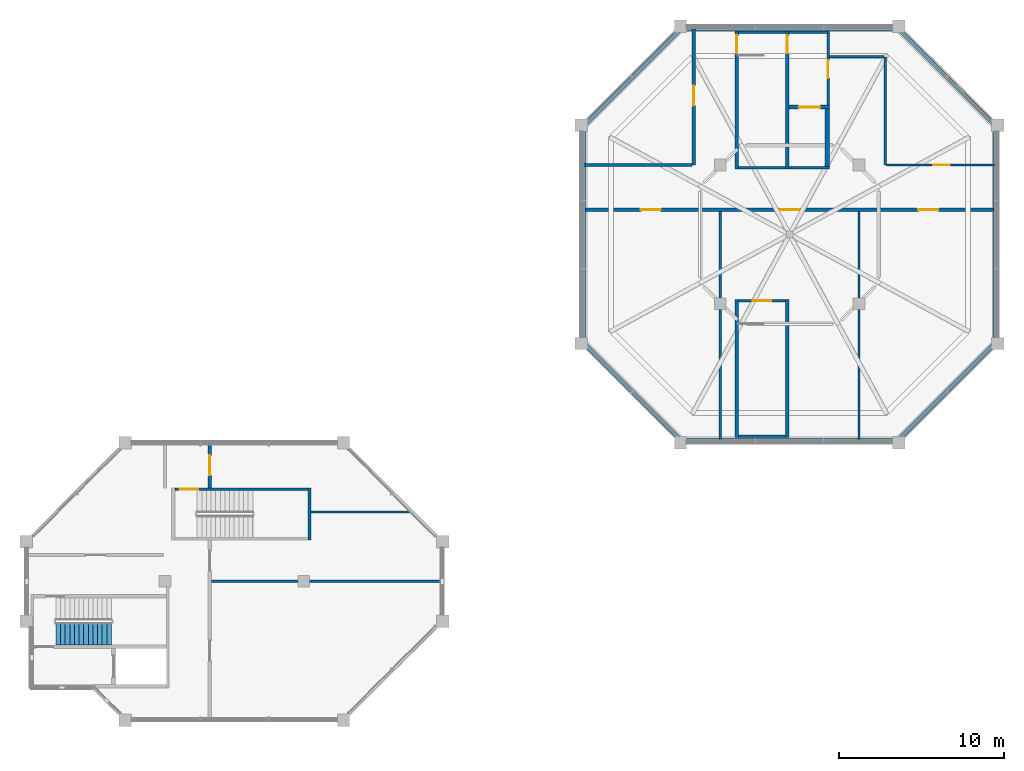
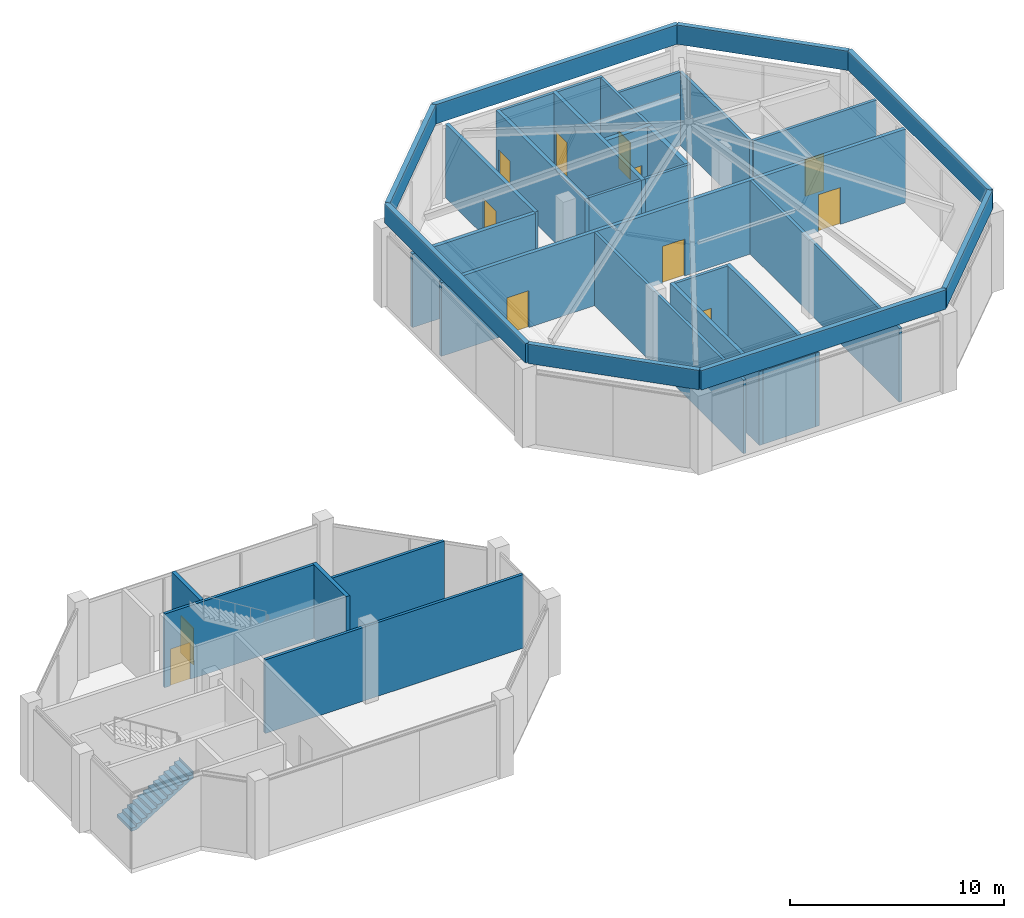
# One storey, part 6 of 9: 34 walls, 12 doors, 1 stair flight, 12 openings, 1 element without a shape of its own.
"""IFC4 building model written with IfcOpenShell, lengths in metres."""

from ifc_helpers import new_model, si_unit, direction, frame, frame_2d, origin, place, context, subcontext, project, spatial, polyline, rectangle, outline, extrude, material, layer, layer_set, type_object, element, fill, aggregate, save


model = new_model("IFC4")

# Units and contexts
model_context = context("Model", 3, precision=1e-05, world=origin(), true_north=direction((0.0, 1.0)))
body_context = subcontext(model_context, "Body", "Model", "MODEL_VIEW")
ifc_project = project(units=[si_unit("LENGTHUNIT", "METRE"), si_unit("AREAUNIT", "SQUARE_METRE"), si_unit("VOLUMEUNIT", "CUBIC_METRE"), si_unit("PLANEANGLEUNIT", "RADIAN"), si_unit("MASSUNIT", "GRAM", prefix="KILO")], contexts=[model_context])

# Site, building, storey
site_placement = place(None, origin())
site = spatial("IfcSite", under=ifc_project, at=site_placement, CompositionType="ELEMENT")
building_placement = place(site_placement, origin())
building = spatial("IfcBuilding", under=site, at=building_placement, Name="Kawkab Arch Medical Tower", CompositionType="ELEMENT")
storey_placement = place(building_placement, frame((0.0, 0.0, 350.199951171875)))
storey = spatial("IfcBuildingStorey", under=building, at=storey_placement, Name="L81", CompositionType="ELEMENT", Elevation=350.199951171875)

# Wall, opening, door
ifc_material_1 = material(Name="Gypsum board on steel studs", Category="steel")
ifc_layer_1 = layer(ifc_material_1, 0.14990234375)
ifc_layer_set_1 = layer_set([ifc_layer_1], Name="Gypsum board on steel studs")
wall_type_1 = type_object("IfcWallType", Name="Core room partition 150", PredefinedType="PARTITIONING", material=ifc_layer_set_1)
wall_1_placement = place(storey_placement, frame((48.52490234375, -4.77490234375, 0.0), z_axis=(0.0, 0.0, 1.0), x_axis=(0.0, 1.0, 0.0)))
wall_1 = element("IfcWall", 1, at=wall_1_placement, inside=storey, type_object=wall_type_1, Name="L81 core room partition", PredefinedType="PARTITIONING", context=body_context, shape_type="SweptSolid", body=[
    extrude(rectangle(XDim=4.324951171875, YDim=0.14990234375, at=frame_2d((2.16259765625, 0.0))), origin(), (0.0, 0.0, 1.0), 4.199951171875),
])
opening_1_placement = place(wall_1_placement, frame((1.625, 0.0, 0.0)))
opening_1 = element("IfcOpeningElement", 2, at=opening_1_placement, cuts=wall_1, Name="Opening FD", PredefinedType="OPENING", context=body_context, shape_type="SweptSolid", body=[
    extrude(rectangle(XDim=1.10009765625, YDim=2.10009765625, at=frame_2d((0.550048828125, 1.050048828125))), frame((0.0, 0.0849609375, 0.0), z_axis=(0.0, -1.0, 0.0), x_axis=(1.0, 0.0, 0.0)), (0.0, 0.0, 1.0), 0.169921875),
])
ifc_material_2 = material(Name="Hollow metal fire door leaf")
door_type_1 = type_object("IfcDoorType", Name="Firefighting lobby door 1100", OperationType="SINGLE_SWING_LEFT", PredefinedType="DOOR", material=ifc_material_2)
door_1_placement = place(opening_1_placement, origin())
door_1 = element("IfcDoor", 3, at=door_1_placement, inside=storey, type_object=door_type_1, Name="L81 Service lift lobby door SV1", OperationType="SINGLE_SWING_LEFT", OverallHeight=2.10009765625, OverallWidth=1.10009765625, PredefinedType="DOOR", context=body_context, shape_type="SweptSolid", body=[
    extrude(rectangle(XDim=1.10009765625, YDim=2.10009765625, at=frame_2d((0.550048828125, 1.050048828125))), frame((0.0, 0.02490234375, 0.0), z_axis=(0.0, -1.0, 0.0), x_axis=(1.0, 0.0, 0.0)), (0.0, 0.0, 1.0), 0.050048828125),
])
fill(opening_1, door_1)

ifc_material_3 = material(Name="Concrete C60/75", Category="concrete")
ifc_layer_2 = layer(ifc_material_3, 0.25)
ifc_layer_set_2 = layer_set([ifc_layer_2], Name="Concrete C60/75")
wall_type_2 = type_object("IfcWallType", Name="Core shear wall 250 C60/75", PredefinedType="SHEAR", material=ifc_layer_set_2)
wall_2_placement = place(storey_placement, frame((46.14990234375, -4.89990234375, 0.0), z_axis=(0.0, 0.0, 1.0), x_axis=(1.0, 0.0, 0.0)))
wall_2 = element("IfcWall", 4, at=wall_2_placement, inside=storey, type_object=wall_type_2, Name="L81 core shear wall", PredefinedType="SHEAR", context=body_context, shape_type="SweptSolid", body=[
    extrude(rectangle(XDim=2.4501953125, YDim=0.25, at=frame_2d((1.22509765625, 0.0))), origin(), (0.0, 0.0, 1.0), 4.199951171875),
])
opening_2_placement = place(wall_2_placement, frame((0.60009765625, 0.0, 0.0)))
opening_2 = element("IfcOpeningElement", 5, at=opening_2_placement, cuts=wall_2, Name="Opening LD2", PredefinedType="OPENING", context=body_context, shape_type="SweptSolid", body=[
    extrude(rectangle(XDim=1.300048828125, YDim=2.10009765625, at=frame_2d((0.64990234375, 1.050048828125))), frame((0.0, 0.135009765625, 0.0), z_axis=(0.0, -1.0, 0.0), x_axis=(1.0, 0.0, 0.0)), (0.0, 0.0, 1.0), 0.27001953125),
])
ifc_material_4 = material(Name="Stainless steel lift door leaf", Category="steel")
door_type_2 = type_object("IfcDoorType", Name="Lift landing door 1300", OperationType="DOUBLE_DOOR_SLIDING", PredefinedType="DOOR", material=ifc_material_4)
door_2_placement = place(opening_2_placement, origin())
door_2 = element("IfcDoor", 6, at=door_2_placement, inside=storey, type_object=door_type_2, Name="L81 Lift landing door SV1", OperationType="DOUBLE_DOOR_SLIDING", OverallHeight=2.10009765625, OverallWidth=1.300048828125, PredefinedType="DOOR", context=body_context, shape_type="SweptSolid", body=[
    extrude(rectangle(XDim=1.300048828125, YDim=2.10009765625, at=frame_2d((0.64990234375, 1.050048828125))), frame((0.0, 0.02490234375, 0.0), z_axis=(0.0, -1.0, 0.0), x_axis=(1.0, 0.0, 0.0)), (0.0, 0.0, 1.0), 0.050048828125),
])
fill(opening_2, door_2)

# Walls
wall_3_placement = place(storey_placement, frame((48.47509765625, -8.5, 0.0), z_axis=(0.0, 0.0, 1.0), x_axis=(0.0, 1.0, 0.0)))
element("IfcWall", 7, at=wall_3_placement, inside=storey, type_object=wall_type_2, Name="L81 core shear wall", PredefinedType="SHEAR", context=body_context, shape_type="SweptSolid", body=[
    extrude(rectangle(XDim=3.47509765625, YDim=0.25, at=frame_2d((1.737548828125, 0.0))), origin(), (0.0, 0.0, 1.0), 4.199951171875),
])
ifc_material_5 = material(Name="Bronze clad insulated wall panel")
ifc_layer_3 = layer(ifc_material_5, 0.25)
ifc_layer_set_3 = layer_set([ifc_layer_3], Name="Bronze clad insulated wall panel")
wall_type_3 = type_object("IfcWallType", Name="Crown parapet 250", PredefinedType="SOLIDWALL", material=ifc_layer_set_3)
wall_4_placement = place(storey_placement, frame((39.60009765625, -25.074951171875, 4.5), z_axis=(0.0, 0.0, 1.0), x_axis=(1.0, 0.0, 0.0)))
element("IfcWall", 8, at=wall_4_placement, inside=storey, type_object=wall_type_3, Name="Parapet, crown peak A 1", PredefinedType="SOLIDWALL", context=body_context, shape_type="SweptSolid", body=[
    extrude(rectangle(XDim=13.199951171875, YDim=0.25, at=frame_2d((6.60009765625, 0.0))), origin(), (0.0, 0.0, 1.0), 1.10009765625),
])
wall_5_placement = place(storey_placement, frame((52.784912109375, -25.038330078125, 4.5), z_axis=(0.0, 0.0, 1.0), x_axis=(0.707106781187, 0.707106781187, 0.0)))
element("IfcWall", 9, at=wall_5_placement, inside=storey, type_object=wall_type_3, Name="Parapet, crown peak A 2", PredefinedType="SOLIDWALL", context=body_context, shape_type="SweptSolid", body=[
    extrude(rectangle(XDim=8.278076171875, YDim=0.25, at=frame_2d((4.13916015625, 0.0))), origin(), (0.0, 0.0, 1.0), 1.10009765625),
])
wall_6_placement = place(storey_placement, frame((58.675048828125, -19.199951171875, 4.5), z_axis=(0.0, 0.0, 1.0), x_axis=(0.0, 1.0, 0.0)))
element("IfcWall", 10, at=wall_6_placement, inside=storey, type_object=wall_type_3, Name="Parapet, crown peak A 3", PredefinedType="SOLIDWALL", context=body_context, shape_type="SweptSolid", body=[
    extrude(rectangle(XDim=13.199951171875, YDim=0.25, at=frame_2d((6.60009765625, 0.0))), origin(), (0.0, 0.0, 1.0), 1.10009765625),
])
wall_7_placement = place(storey_placement, frame((58.638427734375, -6.01513671875, 4.5), z_axis=(0.0, 0.0, 1.0), x_axis=(-0.707106781187, 0.707106781187, 0.0)))
element("IfcWall", 11, at=wall_7_placement, inside=storey, type_object=wall_type_3, Name="Parapet, crown peak A 4", PredefinedType="SOLIDWALL", context=body_context, shape_type="SweptSolid", body=[
    extrude(rectangle(XDim=8.278076171875, YDim=0.25, at=frame_2d((4.13916015625, 0.0))), origin(), (0.0, 0.0, 1.0), 1.10009765625),
])
wall_8_placement = place(storey_placement, frame((52.800048828125, -0.125, 4.5), z_axis=(0.0, 0.0, 1.0), x_axis=(-1.0, 0.0, 0.0)))
element("IfcWall", 12, at=wall_8_placement, inside=storey, type_object=wall_type_3, Name="Parapet, crown peak A 5", PredefinedType="SOLIDWALL", context=body_context, shape_type="SweptSolid", body=[
    extrude(rectangle(XDim=13.199951171875, YDim=0.25, at=frame_2d((6.60009765625, 0.0))), origin(), (0.0, 0.0, 1.0), 1.10009765625),
])
wall_9_placement = place(storey_placement, frame((39.615234375, -0.16162109375, 4.5), z_axis=(0.0, 0.0, 1.0), x_axis=(-0.707106781187, -0.707106781187, 0.0)))
element("IfcWall", 13, at=wall_9_placement, inside=storey, type_object=wall_type_3, Name="Parapet, crown peak A 6", PredefinedType="SOLIDWALL", context=body_context, shape_type="SweptSolid", body=[
    extrude(rectangle(XDim=8.278076171875, YDim=0.25, at=frame_2d((4.13916015625, 0.0))), origin(), (0.0, 0.0, 1.0), 1.10009765625),
])
wall_10_placement = place(storey_placement, frame((33.72509765625, -6.0, 4.5), z_axis=(0.0, 0.0, 1.0), x_axis=(0.0, -1.0, 0.0)))
element("IfcWall", 14, at=wall_10_placement, inside=storey, type_object=wall_type_3, Name="Parapet, crown peak A 7", PredefinedType="SOLIDWALL", context=body_context, shape_type="SweptSolid", body=[
    extrude(rectangle(XDim=13.199951171875, YDim=0.25, at=frame_2d((6.60009765625, 0.0))), origin(), (0.0, 0.0, 1.0), 1.10009765625),
])
wall_11_placement = place(storey_placement, frame((33.76171875, -19.184814453125, 4.5), z_axis=(0.0, 0.0, 1.0), x_axis=(0.707106781187, -0.707106781187, 0.0)))
element("IfcWall", 15, at=wall_11_placement, inside=storey, type_object=wall_type_3, Name="Parapet, crown peak A 8", PredefinedType="SOLIDWALL", context=body_context, shape_type="SweptSolid", body=[
    extrude(rectangle(XDim=8.278076171875, YDim=0.25, at=frame_2d((4.13916015625, 0.0))), origin(), (0.0, 0.0, 1.0), 1.10009765625),
])
ifc_material_6 = material(Name="Gypsum board partition on steel studs, mineral wool", Category="steel")
ifc_layer_4 = layer(ifc_material_6, 0.14990234375)
ifc_layer_set_4 = layer_set([ifc_layer_4], Name="Gypsum board partition on steel studs, mineral wool")
wall_type_4 = type_object("IfcWallType", Name="Partition 150", PredefinedType="PARTITIONING", material=ifc_layer_set_4)
wall_12_placement = place(storey_placement, frame((11.199951171875, -33.60009765625, 0.0), z_axis=(0.0, 0.0, 1.0), x_axis=(1.0, 0.0, 0.0)))
element("IfcWall", 16, at=wall_12_placement, inside=storey, type_object=wall_type_4, Name="Partition 150 w001", PredefinedType="PARTITIONING", context=body_context, shape_type="SweptSolid", body=[
    extrude(rectangle(XDim=13.920166015625, YDim=0.14990234375, at=frame_2d((6.9599609375, 0.0))), origin(), (0.0, 0.0, 1.0), 4.199951171875),
])
wall_13_placement = place(storey_placement, frame((17.25, -29.39990234375, 0.0), z_axis=(0.0, 0.0, 1.0), x_axis=(1.0, 0.0, 0.0)))
element("IfcWall", 17, at=wall_13_placement, inside=storey, type_object=wall_type_4, Name="Partition 150 w002", PredefinedType="PARTITIONING", context=body_context, shape_type="SweptSolid", body=[
    extrude(rectangle(XDim=6.037109375, YDim=0.14990234375, at=frame_2d((3.0185546875, 0.0))), origin(), (0.0, 0.0, 1.0), 4.199951171875),
])

# Wall, opening, door
wall_14_placement = place(storey_placement, frame((52.068115234375, -8.39990234375, 0.0), z_axis=(0.0, 0.0, 1.0), x_axis=(1.0, 0.0, 0.0)))
wall_14 = element("IfcWall", 18, at=wall_14_placement, inside=storey, type_object=wall_type_4, Name="Partition 150 w003", PredefinedType="PARTITIONING", context=body_context, shape_type="SweptSolid", body=[
    extrude(rectangle(XDim=6.65185546875, YDim=0.14990234375, at=frame_2d((3.325927734375, 0.0))), origin(), (0.0, 0.0, 1.0), 4.199951171875),
])
opening_3_placement = place(wall_14_placement, frame((2.8291015625, 0.0, 0.0)))
opening_3 = element("IfcOpeningElement", 19, at=opening_3_placement, cuts=wall_14, Name="Opening C81-001", PredefinedType="OPENING", context=body_context, shape_type="SweptSolid", body=[
    extrude(rectangle(XDim=1.0, YDim=2.10009765625, at=frame_2d((0.5, 1.050048828125))), frame((0.0, 0.0849609375, 0.0), z_axis=(0.0, -1.0, 0.0), x_axis=(1.0, 0.0, 0.0)), (0.0, 0.0, 1.0), 0.169921875),
])
ifc_material_7 = material(Name="Hollow metal door leaf")
door_type_3 = type_object("IfcDoorType", Name="Single door 1000x2100 FD30S", OperationType="NOTDEFINED", PredefinedType="DOOR", material=ifc_material_7)
door_3_placement = place(opening_3_placement, origin())
door_3 = element("IfcDoor", 20, at=door_3_placement, inside=storey, type_object=door_type_3, Name="Door C81-001", OperationType="SINGLE_SWING_LEFT", OverallHeight=2.10009765625, OverallWidth=1.0, PredefinedType="DOOR", context=body_context, shape_type="SweptSolid", body=[
    extrude(rectangle(XDim=1.0, YDim=2.10009765625, at=frame_2d((0.5, 1.050048828125))), frame((0.0, 0.02490234375, 0.0), z_axis=(0.0, -1.0, 0.0), x_axis=(1.0, 0.0, 0.0)), (0.0, 0.0, 1.0), 0.050048828125),
])
fill(opening_3, door_3)

# Walls
wall_15_placement = place(storey_placement, frame((48.60009765625, -1.85009765625, 0.0), z_axis=(0.0, 0.0, 1.0), x_axis=(1.0, 0.0, 0.0)))
element("IfcWall", 21, at=wall_15_placement, inside=storey, type_object=wall_type_4, Name="Partition 150 w004", PredefinedType="PARTITIONING", context=body_context, shape_type="SweptSolid", body=[
    extrude(rectangle(XDim=3.31591796875, YDim=0.14990234375, at=frame_2d((1.657958984375, 0.0))), origin(), (0.0, 0.0, 1.0), 4.199951171875),
])
for number, where, z_axis, x_axis, name in (
    (22, (42.0, -25.1201171875, 0.0), (0.0, 0.0, 1.0), (0.0, 1.0, 0.0), "Partition 150 w005"),
    (23, (50.39990234375, -25.1201171875, 0.0), (0.0, 0.0, 1.0), (0.0, 1.0, 0.0), "Partition 150 w006"),
):
    element("IfcWall", number, at=place(storey_placement, frame(where, z_axis=z_axis, x_axis=x_axis)), inside=storey, type_object=wall_type_4, Name=name, PredefinedType="PARTITIONING", context=body_context, shape_type="SweptSolid", body=[
        extrude(rectangle(XDim=13.920166015625, YDim=0.14990234375, at=frame_2d((6.9599609375, 0.0))), origin(), (0.0, 0.0, 1.0), 4.199951171875),
    ])
wall_16_placement = place(storey_placement, frame((51.992919921875, -8.39990234375, 0.0), z_axis=(0.0, 0.0, 1.0), x_axis=(0.0, 1.0, 0.0)))
element("IfcWall", 24, at=wall_16_placement, inside=storey, type_object=wall_type_4, Name="Partition 150 w007", PredefinedType="PARTITIONING", context=body_context, shape_type="SweptSolid", body=[
    extrude(rectangle(XDim=6.5478515625, YDim=0.14990234375, at=frame_2d((3.27392578125, 0.0))), origin(), (0.0, 0.0, 1.0), 4.199951171875),
])

# Wall, openings, doors
ifc_material_8 = material(Name="Fire-rated gypsum board partition on steel studs", Category="steel")
ifc_layer_5 = layer(ifc_material_8, 0.199951171875)
ifc_layer_set_5 = layer_set([ifc_layer_5], Name="Fire-rated gypsum board partition on steel studs")
wall_type_5 = type_object("IfcWallType", Name="Protected partition 200", PredefinedType="PARTITIONING", material=ifc_layer_set_5)
wall_17_placement = place(storey_placement, frame((33.679931640625, -11.10009765625, 0.0), z_axis=(0.0, 0.0, 1.0), x_axis=(1.0, 0.0, 0.0)))
wall_17 = element("IfcWall", 25, at=wall_17_placement, inside=storey, type_object=wall_type_5, Name="Protected partition 200 w009", PredefinedType="PARTITIONING", context=body_context, shape_type="SweptSolid", body=[
    extrude(rectangle(XDim=25.0400390625, YDim=0.199951171875, at=frame_2d((12.52001953125, 0.0))), origin(), (0.0, 0.0, 1.0), 4.199951171875),
])
opening_4_placement = place(wall_17_placement, frame((3.52001953125, 0.0, 0.0)))
opening_4 = element("IfcOpeningElement", 26, at=opening_4_placement, cuts=wall_17, Name="Opening C81-002", PredefinedType="OPENING", context=body_context, shape_type="SweptSolid", body=[
    extrude(rectangle(XDim=1.199951171875, YDim=2.10009765625, at=frame_2d((0.60009765625, 1.050048828125))), frame((0.0, 0.10986328125, 0.0), z_axis=(0.0, -1.0, 0.0), x_axis=(1.0, 0.0, 0.0)), (0.0, 0.0, 1.0), 0.219970703125),
])
opening_5_placement = place(wall_17_placement, frame((11.919921875, 0.0, 0.0)))
opening_5 = element("IfcOpeningElement", 27, at=opening_5_placement, cuts=wall_17, Name="Opening C81-003", PredefinedType="OPENING", context=body_context, shape_type="SweptSolid", body=[
    extrude(rectangle(XDim=1.199951171875, YDim=2.10009765625, at=frame_2d((0.60009765625, 1.050048828125))), frame((0.0, 0.10986328125, 0.0), z_axis=(0.0, -1.0, 0.0), x_axis=(1.0, 0.0, 0.0)), (0.0, 0.0, 1.0), 0.219970703125),
])
opening_6_placement = place(wall_17_placement, frame((20.320068359375, 0.0, 0.0)))
opening_6 = element("IfcOpeningElement", 28, at=opening_6_placement, cuts=wall_17, Name="Opening C81-004", PredefinedType="OPENING", context=body_context, shape_type="SweptSolid", body=[
    extrude(rectangle(XDim=1.199951171875, YDim=2.10009765625, at=frame_2d((0.60009765625, 1.050048828125))), frame((0.0, 0.10986328125, 0.0), z_axis=(0.0, -1.0, 0.0), x_axis=(1.0, 0.0, 0.0)), (0.0, 0.0, 1.0), 0.219970703125),
])
ifc_material_9 = material(Name="Hollow metal door leaf")
door_type_4 = type_object("IfcDoorType", Name="Single door 1200x2100 FD60", OperationType="NOTDEFINED", PredefinedType="DOOR", material=ifc_material_9)
door_4_placement = place(opening_4_placement, origin())
door_4 = element("IfcDoor", 29, at=door_4_placement, inside=storey, type_object=door_type_4, Name="Door C81-002", OperationType="SINGLE_SWING_RIGHT", OverallHeight=2.10009765625, OverallWidth=1.199951171875, PredefinedType="DOOR", context=body_context, shape_type="SweptSolid", body=[
    extrude(rectangle(XDim=1.199951171875, YDim=2.10009765625, at=frame_2d((0.60009765625, 1.050048828125))), frame((0.0, 0.02490234375, 0.0), z_axis=(0.0, -1.0, 0.0), x_axis=(1.0, 0.0, 0.0)), (0.0, 0.0, 1.0), 0.050048828125),
])
fill(opening_4, door_4)
door_5_placement = place(opening_5_placement, origin())
door_5 = element("IfcDoor", 30, at=door_5_placement, inside=storey, type_object=door_type_4, Name="Door C81-003", OperationType="SINGLE_SWING_LEFT", OverallHeight=2.10009765625, OverallWidth=1.199951171875, PredefinedType="DOOR", context=body_context, shape_type="SweptSolid", body=[
    extrude(rectangle(XDim=1.199951171875, YDim=2.10009765625, at=frame_2d((0.60009765625, 1.050048828125))), frame((0.0, 0.02490234375, 0.0), z_axis=(0.0, -1.0, 0.0), x_axis=(1.0, 0.0, 0.0)), (0.0, 0.0, 1.0), 0.050048828125),
])
fill(opening_5, door_5)
door_6_placement = place(opening_6_placement, origin())
door_6 = element("IfcDoor", 31, at=door_6_placement, inside=storey, type_object=door_type_4, Name="Door C81-004", OperationType="SINGLE_SWING_LEFT", OverallHeight=2.10009765625, OverallWidth=1.199951171875, PredefinedType="DOOR", context=body_context, shape_type="SweptSolid", body=[
    extrude(rectangle(XDim=1.199951171875, YDim=2.10009765625, at=frame_2d((0.60009765625, 1.050048828125))), frame((0.0, 0.02490234375, 0.0), z_axis=(0.0, -1.0, 0.0), x_axis=(1.0, 0.0, 0.0)), (0.0, 0.0, 1.0), 0.050048828125),
])
fill(opening_6, door_6)

# Wall
wall_18_placement = place(storey_placement, frame((33.679931640625, -8.39990234375, 0.0), z_axis=(0.0, 0.0, 1.0), x_axis=(1.0, 0.0, 0.0)))
element("IfcWall", 32, at=wall_18_placement, inside=storey, type_object=wall_type_5, Name="Protected partition 200 w010", PredefinedType="PARTITIONING", context=body_context, shape_type="SweptSolid", body=[
    extrude(rectangle(XDim=6.626953125, YDim=0.199951171875, at=frame_2d((3.3134765625, 0.0))), origin(), (0.0, 0.0, 1.0), 4.199951171875),
])

# Wall, opening, door
wall_19_placement = place(storey_placement, frame((11.10009765625, -27.949951171875, 0.0), z_axis=(0.0, 0.0, 1.0), x_axis=(0.0, 1.0, 0.0)))
wall_19 = element("IfcWall", 33, at=wall_19_placement, inside=storey, type_object=wall_type_5, Name="Protected partition 200 w013", PredefinedType="PARTITIONING", context=body_context, shape_type="SweptSolid", body=[
    extrude(rectangle(XDim=2.669921875, YDim=0.199951171875, at=frame_2d((1.3349609375, 0.0))), origin(), (0.0, 0.0, 1.0), 4.199951171875),
])
opening_7_placement = place(wall_19_placement, frame((0.77490234375, 0.0, 0.0)))
opening_7 = element("IfcOpeningElement", 34, at=opening_7_placement, cuts=wall_19, Name="Opening C81-006", PredefinedType="OPENING", context=body_context, shape_type="SweptSolid", body=[
    extrude(rectangle(XDim=1.199951171875, YDim=2.10009765625, at=frame_2d((0.60009765625, 1.050048828125))), frame((0.0, 0.10986328125, 0.0), z_axis=(0.0, -1.0, 0.0), x_axis=(1.0, 0.0, 0.0)), (0.0, 0.0, 1.0), 0.219970703125),
])
door_7_placement = place(opening_7_placement, origin())
door_7 = element("IfcDoor", 35, at=door_7_placement, inside=storey, type_object=door_type_4, Name="Door C81-006", OperationType="SINGLE_SWING_LEFT", OverallHeight=2.10009765625, OverallWidth=1.199951171875, PredefinedType="DOOR", context=body_context, shape_type="SweptSolid", body=[
    extrude(rectangle(XDim=1.199951171875, YDim=2.10009765625, at=frame_2d((0.60009765625, 1.050048828125))), frame((0.0, 0.02490234375, 0.0), z_axis=(0.0, -1.0, 0.0), x_axis=(1.0, 0.0, 0.0)), (0.0, 0.0, 1.0), 0.050048828125),
])
fill(opening_7, door_7)

wall_20_placement = place(storey_placement, frame((40.406982421875, -8.39990234375, 0.0), z_axis=(0.0, 0.0, 1.0), x_axis=(0.0, 1.0, 0.0)))
wall_20 = element("IfcWall", 36, at=wall_20_placement, inside=storey, type_object=wall_type_5, Name="Protected partition 200 w014", PredefinedType="PARTITIONING", context=body_context, shape_type="SweptSolid", body=[
    extrude(rectangle(XDim=8.31982421875, YDim=0.199951171875, at=frame_2d((4.159912109375, 0.0))), origin(), (0.0, 0.0, 1.0), 4.199951171875),
])
opening_8_placement = place(wall_20_placement, frame((3.60009765625, 0.0, 0.0)))
opening_8 = element("IfcOpeningElement", 37, at=opening_8_placement, cuts=wall_20, Name="Opening C81-005", PredefinedType="OPENING", context=body_context, shape_type="SweptSolid", body=[
    extrude(rectangle(XDim=1.199951171875, YDim=2.10009765625, at=frame_2d((0.60009765625, 1.050048828125))), frame((0.0, 0.10986328125, 0.0), z_axis=(0.0, -1.0, 0.0), x_axis=(1.0, 0.0, 0.0)), (0.0, 0.0, 1.0), 0.219970703125),
])
door_8_placement = place(opening_8_placement, origin())
door_8 = element("IfcDoor", 38, at=door_8_placement, inside=storey, type_object=door_type_4, Name="Door C81-005", OperationType="SINGLE_SWING_RIGHT", OverallHeight=2.10009765625, OverallWidth=1.199951171875, PredefinedType="DOOR", context=body_context, shape_type="SweptSolid", body=[
    extrude(rectangle(XDim=1.199951171875, YDim=2.10009765625, at=frame_2d((0.60009765625, 1.050048828125))), frame((0.0, 0.02490234375, 0.0), z_axis=(0.0, -1.0, 0.0), x_axis=(1.0, 0.0, 0.0)), (0.0, 0.0, 1.0), 0.050048828125),
])
fill(opening_8, door_8)

# Walls
ifc_material_10 = material(Name="Concrete C50/60", Category="concrete")
ifc_layer_6 = layer(ifc_material_10, 0.14990234375)
ifc_layer_set_6 = layer_set([ifc_layer_6], Name="Concrete C50/60")
wall_type_6 = type_object("IfcWallType", Name="Stair enclosure wall 150 C50/60", PredefinedType="SHEAR", material=ifc_layer_set_6)
wall_21_placement = place(storey_placement, frame((43.10009765625, -0.375, 0.0), z_axis=(0.0, 0.0, 1.0), x_axis=(1.0, 0.0, 0.0)))
element("IfcWall", 39, at=wall_21_placement, inside=storey, type_object=wall_type_6, Name="L81 stair enclosure wall", PredefinedType="SHEAR", context=body_context, shape_type="SweptSolid", body=[
    extrude(rectangle(XDim=2.849853515625, YDim=0.14990234375, at=frame_2d((1.4248046875, 0.0))), origin(), (0.0, 0.0, 1.0), 4.199951171875),
])
wall_22_placement = place(storey_placement, frame((46.14990234375, -0.375, 0.0), z_axis=(0.0, 0.0, 1.0), x_axis=(1.0, 0.0, 0.0)))
element("IfcWall", 40, at=wall_22_placement, inside=storey, type_object=wall_type_6, Name="L81 stair enclosure wall", PredefinedType="SHEAR", context=body_context, shape_type="SweptSolid", body=[
    extrude(rectangle(XDim=2.4501953125, YDim=0.14990234375, at=frame_2d((1.22509765625, 0.0))), origin(), (0.0, 0.0, 1.0), 4.199951171875),
])
wall_23_placement = place(storey_placement, frame((43.10009765625, -8.574951171875, 0.0), z_axis=(0.0, 0.0, 1.0), x_axis=(1.0, 0.0, 0.0)))
element("IfcWall", 41, at=wall_23_placement, inside=storey, type_object=wall_type_6, Name="L81 stair enclosure wall", PredefinedType="SHEAR", context=body_context, shape_type="SweptSolid", body=[
    extrude(rectangle(XDim=2.849853515625, YDim=0.14990234375, at=frame_2d((1.4248046875, 0.0))), origin(), (0.0, 0.0, 1.0), 4.199951171875),
])
wall_24_placement = place(storey_placement, frame((46.14990234375, -8.574951171875, 0.0), z_axis=(0.0, 0.0, 1.0), x_axis=(1.0, 0.0, 0.0)))
element("IfcWall", 42, at=wall_24_placement, inside=storey, type_object=wall_type_6, Name="L81 stair enclosure wall", PredefinedType="SHEAR", context=body_context, shape_type="SweptSolid", body=[
    extrude(rectangle(XDim=2.4501953125, YDim=0.14990234375, at=frame_2d((1.22509765625, 0.0))), origin(), (0.0, 0.0, 1.0), 4.199951171875),
])

# Wall, opening, door
wall_25_placement = place(storey_placement, frame((43.10009765625, -16.625, 0.0), z_axis=(0.0, 0.0, 1.0), x_axis=(1.0, 0.0, 0.0)))
wall_25 = element("IfcWall", 43, at=wall_25_placement, inside=storey, type_object=wall_type_6, Name="L81 stair enclosure wall", PredefinedType="SHEAR", context=body_context, shape_type="SweptSolid", body=[
    extrude(rectangle(XDim=2.849853515625, YDim=0.14990234375, at=frame_2d((1.4248046875, 0.0))), origin(), (0.0, 0.0, 1.0), 4.199951171875),
])
opening_9_placement = place(wall_25_placement, frame((0.875, 0.0, 0.0)))
opening_9 = element("IfcOpeningElement", 44, at=opening_9_placement, cuts=wall_25, Name="Opening SD", PredefinedType="OPENING", context=body_context, shape_type="SweptSolid", body=[
    extrude(rectangle(XDim=1.10009765625, YDim=2.10009765625, at=frame_2d((0.550048828125, 1.050048828125))), frame((0.0, 0.0849609375, 0.0), z_axis=(0.0, -1.0, 0.0), x_axis=(1.0, 0.0, 0.0)), (0.0, 0.0, 1.0), 0.169921875),
])
ifc_material_11 = material(Name="Hollow metal fire door leaf")
door_type_5 = type_object("IfcDoorType", Name="Exit stair door 1100", OperationType="SINGLE_SWING_LEFT", PredefinedType="DOOR", material=ifc_material_11)
door_9_placement = place(opening_9_placement, origin())
door_9 = element("IfcDoor", 45, at=door_9_placement, inside=storey, type_object=door_type_5, Name="L81 Exit stair ST8 door", OperationType="SINGLE_SWING_LEFT", OverallHeight=2.10009765625, OverallWidth=1.10009765625, PredefinedType="DOOR", context=body_context, shape_type="SweptSolid", body=[
    extrude(rectangle(XDim=1.10009765625, YDim=2.10009765625, at=frame_2d((0.550048828125, 1.050048828125))), frame((0.0, 0.02490234375, 0.0), z_axis=(0.0, -1.0, 0.0), x_axis=(1.0, 0.0, 0.0)), (0.0, 0.0, 1.0), 0.050048828125),
])
fill(opening_9, door_9)

# Wall
wall_26_placement = place(storey_placement, frame((43.10009765625, -24.824951171875, 0.0), z_axis=(0.0, 0.0, 1.0), x_axis=(1.0, 0.0, 0.0)))
element("IfcWall", 46, at=wall_26_placement, inside=storey, type_object=wall_type_6, Name="L81 stair enclosure wall", PredefinedType="SHEAR", context=body_context, shape_type="SweptSolid", body=[
    extrude(rectangle(XDim=2.849853515625, YDim=0.14990234375, at=frame_2d((1.4248046875, 0.0))), origin(), (0.0, 0.0, 1.0), 4.199951171875),
])

# Wall, opening, door
wall_27_placement = place(storey_placement, frame((9.0, -28.02490234375, 0.0), z_axis=(0.0, 0.0, 1.0), x_axis=(1.0, 0.0, 0.0)))
wall_27 = element("IfcWall", 47, at=wall_27_placement, inside=storey, type_object=wall_type_6, Name="L81 stair enclosure wall", PredefinedType="SHEAR", context=body_context, shape_type="SweptSolid", body=[
    extrude(rectangle(XDim=8.050048828125, YDim=0.14990234375, at=frame_2d((4.02490234375, 0.0))), origin(), (0.0, 0.0, 1.0), 4.199951171875),
])
opening_10_placement = place(wall_27_placement, frame((0.300048828125, 0.0, 0.0)))
opening_10 = element("IfcOpeningElement", 48, at=opening_10_placement, cuts=wall_27, Name="Opening SD", PredefinedType="OPENING", context=body_context, shape_type="SweptSolid", body=[
    extrude(rectangle(XDim=1.10009765625, YDim=2.10009765625, at=frame_2d((0.550048828125, 1.050048828125))), frame((0.0, 0.0849609375, 0.0), z_axis=(0.0, -1.0, 0.0), x_axis=(1.0, 0.0, 0.0)), (0.0, 0.0, 1.0), 0.169921875),
])
door_10_placement = place(opening_10_placement, origin())
door_10 = element("IfcDoor", 49, at=door_10_placement, inside=storey, type_object=door_type_5, Name="L81 Exit stair ST9 door", OperationType="SINGLE_SWING_LEFT", OverallHeight=2.10009765625, OverallWidth=1.10009765625, PredefinedType="DOOR", context=body_context, shape_type="SweptSolid", body=[
    extrude(rectangle(XDim=1.10009765625, YDim=2.10009765625, at=frame_2d((0.550048828125, 1.050048828125))), frame((0.0, 0.02490234375, 0.0), z_axis=(0.0, -1.0, 0.0), x_axis=(1.0, 0.0, 0.0)), (0.0, 0.0, 1.0), 0.050048828125),
])
fill(opening_10, door_10)

ifc_material_12 = material(Name="Concrete C50/60", Category="concrete")
ifc_layer_7 = layer(ifc_material_12, 0.199951171875)
ifc_layer_set_7 = layer_set([ifc_layer_7], Name="Concrete C50/60")
wall_type_7 = type_object("IfcWallType", Name="Stair enclosure wall 200 C50/60", PredefinedType="SHEAR", material=ifc_layer_set_7)
wall_28_placement = place(storey_placement, frame((43.0, -8.64990234375, 0.0), z_axis=(0.0, 0.0, 1.0), x_axis=(0.0, 1.0, 0.0)))
wall_28 = element("IfcWall", 50, at=wall_28_placement, inside=storey, type_object=wall_type_7, Name="L81 stair enclosure wall", PredefinedType="SHEAR", context=body_context, shape_type="SweptSolid", body=[
    extrude(rectangle(XDim=8.349853515625, YDim=0.199951171875, at=frame_2d((4.1748046875, 0.0))), origin(), (0.0, 0.0, 1.0), 4.199951171875),
])
opening_11_placement = place(wall_28_placement, frame((7.0, 0.0, 0.0)))
opening_11 = element("IfcOpeningElement", 51, at=opening_11_placement, cuts=wall_28, Name="Opening SD", PredefinedType="OPENING", context=body_context, shape_type="SweptSolid", body=[
    extrude(rectangle(XDim=1.10009765625, YDim=2.10009765625, at=frame_2d((0.550048828125, 1.050048828125))), frame((0.0, 0.10986328125, 0.0), z_axis=(0.0, -1.0, 0.0), x_axis=(1.0, 0.0, 0.0)), (0.0, 0.0, 1.0), 0.219970703125),
])
door_11_placement = place(opening_11_placement, frame((1.10009765625, 0.0, 0.0), z_axis=(0.0, 0.0, 1.0), x_axis=(-1.0, 0.0, 0.0)))
door_11 = element("IfcDoor", 52, at=door_11_placement, inside=storey, type_object=door_type_5, Name="L81 Exit stair ST5 door", OperationType="SINGLE_SWING_LEFT", OverallHeight=2.10009765625, OverallWidth=1.10009765625, PredefinedType="DOOR", context=body_context, shape_type="SweptSolid", body=[
    extrude(rectangle(XDim=1.10009765625, YDim=2.10009765625, at=frame_2d((0.550048828125, 1.050048828125))), frame((0.0, 0.02490234375, 0.0), z_axis=(0.0, -1.0, 0.0), x_axis=(1.0, 0.0, 0.0)), (0.0, 0.0, 1.0), 0.050048828125),
])
fill(opening_11, door_11)

wall_29_placement = place(storey_placement, frame((46.050048828125, -8.64990234375, 0.0), z_axis=(0.0, 0.0, 1.0), x_axis=(0.0, 1.0, 0.0)))
wall_29 = element("IfcWall", 53, at=wall_29_placement, inside=storey, type_object=wall_type_7, Name="L81 stair enclosure wall", PredefinedType="SHEAR", context=body_context, shape_type="SweptSolid", body=[
    extrude(rectangle(XDim=8.349853515625, YDim=0.199951171875, at=frame_2d((4.1748046875, 0.0))), origin(), (0.0, 0.0, 1.0), 4.199951171875),
])
opening_12_placement = place(wall_29_placement, frame((7.0, 0.0, 0.0)))
opening_12 = element("IfcOpeningElement", 54, at=opening_12_placement, cuts=wall_29, Name="Opening SD", PredefinedType="OPENING", context=body_context, shape_type="SweptSolid", body=[
    extrude(rectangle(XDim=1.10009765625, YDim=2.10009765625, at=frame_2d((0.550048828125, 1.050048828125))), frame((0.0, 0.10986328125, 0.0), z_axis=(0.0, -1.0, 0.0), x_axis=(1.0, 0.0, 0.0)), (0.0, 0.0, 1.0), 0.219970703125),
])
door_12_placement = place(opening_12_placement, origin())
door_12 = element("IfcDoor", 55, at=door_12_placement, inside=storey, type_object=door_type_5, Name="L81 Exit stair ST5 lobby door", OperationType="SINGLE_SWING_LEFT", OverallHeight=2.10009765625, OverallWidth=1.10009765625, PredefinedType="DOOR", context=body_context, shape_type="SweptSolid", body=[
    extrude(rectangle(XDim=1.10009765625, YDim=2.10009765625, at=frame_2d((0.550048828125, 1.050048828125))), frame((0.0, 0.02490234375, 0.0), z_axis=(0.0, -1.0, 0.0), x_axis=(1.0, 0.0, 0.0)), (0.0, 0.0, 1.0), 0.050048828125),
])
fill(opening_12, door_12)

# Walls
for number, where, z_axis, x_axis, name in (
    (56, (43.0, -24.89990234375, 0.0), (0.0, 0.0, 1.0), (0.0, 1.0, 0.0), "L81 stair enclosure wall"),
    (57, (46.050048828125, -24.89990234375, 0.0), (0.0, 0.0, 1.0), (0.0, 1.0, 0.0), "L81 stair enclosure wall"),
):
    element("IfcWall", number, at=place(storey_placement, frame(where, z_axis=z_axis, x_axis=x_axis)), inside=storey, type_object=wall_type_7, Name=name, PredefinedType="SHEAR", context=body_context, shape_type="SweptSolid", body=[
        extrude(rectangle(XDim=8.349853515625, YDim=0.199951171875, at=frame_2d((4.1748046875, 0.0))), origin(), (0.0, 0.0, 1.0), 4.199951171875),
    ])
wall_30_placement = place(storey_placement, frame((17.14990234375, -31.10009765625, 0.0), z_axis=(0.0, 0.0, 1.0), x_axis=(0.0, 1.0, 0.0)))
element("IfcWall", 58, at=wall_30_placement, inside=storey, type_object=wall_type_7, Name="L81 stair enclosure wall", PredefinedType="SHEAR", context=body_context, shape_type="SweptSolid", body=[
    extrude(rectangle(XDim=3.150146484375, YDim=0.199951171875, at=frame_2d((1.5751953125, 0.0))), origin(), (0.0, 0.0, 1.0), 4.199951171875),
])

# Stair, stair flight
ifc_material_13 = material(Name="Concrete C40/50", Category="concrete")
stair_type = type_object("IfcStairType", Name="Exit stair 1350", PredefinedType="HALF_TURN_STAIR", material=ifc_material_13)
stair_placement = place(storey_placement, origin())
stair = element("IfcStair", 59, at=stair_placement, inside=storey, type_object=stair_type, Name="L81 Exit stair ST6", PredefinedType="HALF_TURN_STAIR")
ifc_material_14 = material(Name="Concrete C40/50", Category="concrete")
stair_flight_type = type_object("IfcStairFlightType", Name="Exit stair flight 1350", PredefinedType="STRAIGHT", material=ifc_material_14)
stair_flight_placement = place(storey_placement, frame((1.800048828125, -36.77490234375, 0.0), z_axis=(0.0, 0.0, 1.0), x_axis=(1.0, 0.0, 0.0)))
stair_flight = element("IfcStairFlight", 60, at=stair_flight_placement, type_object=stair_flight_type, Name="ST6 flight 1", NumberOfRisers=13, NumberOfTreads=12, PredefinedType="STRAIGHT", RiserHeight=0.173076923, TreadLength=0.28, context=body_context, shape_type="SweptSolid", body=[
    extrude(outline(polyline([(-0.0029296875, 0.0), (-0.0029296875, 0.173095703125), (0.0, 0.173095703125), (0.280029296875, 0.173095703125), (0.280029296875, 0.34619140625), (0.56005859375, 0.34619140625), (0.56005859375, 0.519287109375), (0.840087890625, 0.519287109375), (0.840087890625, 0.6923828125), (1.1201171875, 0.6923828125), (1.1201171875, 0.865478515625), (1.39990234375, 0.865478515625), (1.39990234375, 1.03857421875), (1.679931640625, 1.03857421875), (1.679931640625, 1.21142578125), (1.9599609375, 1.21142578125), (1.9599609375, 1.384521484375), (2.239990234375, 1.384521484375), (2.239990234375, 1.5576171875), (2.52001953125, 1.5576171875), (2.52001953125, 1.730712890625), (2.800048828125, 1.730712890625), (2.800048828125, 1.90380859375), (3.080078125, 1.90380859375), (3.080078125, 2.076904296875), (3.360107421875, 2.076904296875), (3.360107421875, 2.25), (3.363037109375, 2.25), (3.363037109375, 1.900634765625), (3.360107421875, 1.900634765625), (0.28515625, 0.0), (-0.0029296875, 0.0)])), frame((0.0, 0.675048828125, 0.0), z_axis=(0.0, -1.0, 0.0), x_axis=(1.0, 0.0, 0.0)), (0.0, 0.0, 1.0), 1.35009765625),
])
aggregate(stair, [stair_flight])

save(model, "model.ifc")
